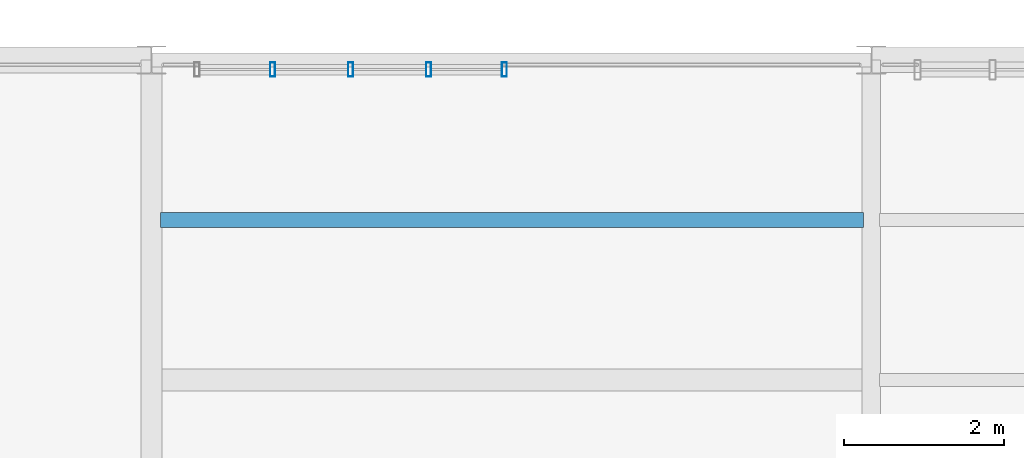
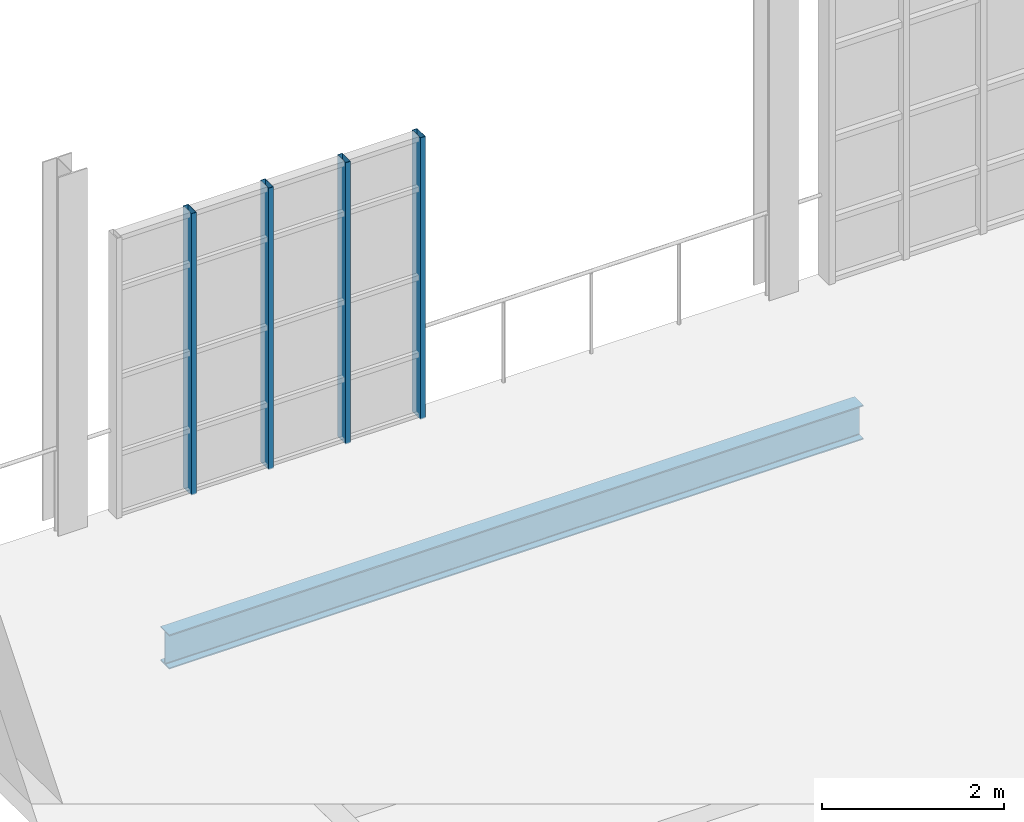
# One storey, part 65 of 118: 4 members, 1 beam, 1 element without a shape of its own.
"""IFC4 building model written with IfcOpenShell, lengths in metres."""

import ifcopenshell
import ifcopenshell.guid

model = None  # the IFC model being written
_history = None  # IfcOwnerHistory: only IFC2X3 demands one
_inside = {}  # id of a spatial element -> (the spatial element, [elements in it])
_under = {}  # id of a project, library or spatial element -> (it, [spatial elements below it])
_declared = {}  # id of a project -> (the project, [libraries it declares])
_typed = {}  # id of a type object -> (the type object, [elements of that type])
_made_of = {}  # id of a material, layer set ... -> (it, [elements and type objects made of it])


def new_model(schema):
    """Start an empty IFC model of exactly this schema.

    Asked for "IFC4X3", IfcOpenShell would pick the latest addendum, in which some entities
    have other attributes; the version numbers below select the first issue.
    IFC2X3 requires an IfcOwnerHistory on every rooted entity: one is made here for all.
    """
    global model, _history
    if schema == "IFC4X3":
        model = ifcopenshell.file(schema_version=(4, 3, 0, 0))
    else:
        model = ifcopenshell.file(schema=schema)
    _inside.clear()
    _under.clear()
    _declared.clear()
    _typed.clear()
    _made_of.clear()
    _history = None
    if model.schema == "IFC2X3":
        org = make("IfcOrganization", Name="unknown")
        user = make(
            "IfcPersonAndOrganization",
            ThePerson=make("IfcPerson", FamilyName="unknown"),
            TheOrganization=org,
        )
        app = make(
            "IfcApplication",
            ApplicationDeveloper=org,
            Version="unknown",
            ApplicationFullName="unknown",
            ApplicationIdentifier="unknown",
        )
        _history = make(
            "IfcOwnerHistory",
            OwningUser=user,
            OwningApplication=app,
            ChangeAction="ADDED",
            CreationDate=0,
        )
    return model


def make(cls, **values):
    """One entity of the class cls with the attributes given. An attribute that is None is left unset."""
    return model.create_entity(
        cls, **{name: value for name, value in values.items() if value is not None}
    )


def rooted(cls, **values):
    """An entity with a GlobalId (a new one), such as an element, a storey or a relation."""
    return make(cls, GlobalId=ifcopenshell.guid.new(), OwnerHistory=_history, **values)


def si_unit(unit_type, name, prefix=None):
    """IfcSIUnit, for example si_unit("LENGTHUNIT", "METRE", prefix="MILLI")."""
    return make("IfcSIUnit", UnitType=unit_type, Prefix=prefix, Name=name)


def assignment(units):
    """IfcUnitAssignment: the units of a project."""
    return None if units is None else make("IfcUnitAssignment", Units=units)


def point(xyz):
    """IfcCartesianPoint."""
    return None if xyz is None else make("IfcCartesianPoint", Coordinates=xyz)


def direction(xyz):
    """IfcDirection."""
    return None if xyz is None else make("IfcDirection", DirectionRatios=xyz)


def frame(location, z_axis=None, x_axis=None):
    """IfcAxis2Placement3D, a coordinate frame: its origin and axes. An axis left out is left unset."""
    return make(
        "IfcAxis2Placement3D",
        Location=point(location),
        Axis=direction(z_axis),
        RefDirection=direction(x_axis),
    )


def frame_2d(location, x_axis=None):
    """IfcAxis2Placement2D, a coordinate frame in the plane: its origin and x axis."""
    return make(
        "IfcAxis2Placement2D", Location=point(location), RefDirection=direction(x_axis)
    )


def origin():
    """The frame at (0, 0, 0) with its axes left unset."""
    return frame((0.0, 0.0, 0.0))


def origin_2d():
    """The frame at (0, 0) in the plane with its x axis left unset."""
    return frame_2d((0.0, 0.0))


def place(relative_to, where):
    """IfcLocalPlacement: puts the frame where relative to a parent placement (None: the world)."""
    return make(
        "IfcLocalPlacement", PlacementRelTo=relative_to, RelativePlacement=where
    )


def context(
    kind, dimensions, precision=None, world=None, true_north=None, identifier=None
):
    """IfcGeometricRepresentationContext, for example the 3D "Model" context."""
    return make(
        "IfcGeometricRepresentationContext",
        ContextIdentifier=identifier,
        ContextType=kind,
        CoordinateSpaceDimension=dimensions,
        Precision=precision,
        WorldCoordinateSystem=world,
        TrueNorth=true_north,
    )


def subcontext(parent, identifier, kind, view, scale=None):
    """IfcGeometricRepresentationSubContext, for example "Body" below "Model"."""
    return make(
        "IfcGeometricRepresentationSubContext",
        ContextIdentifier=identifier,
        ContextType=kind,
        ParentContext=parent,
        TargetScale=scale,
        TargetView=view,
    )


def project(units=None, contexts=None):
    """IfcProject with its units and contexts."""
    return rooted(
        "IfcProject",
        Name="project",
        RepresentationContexts=contexts,
        UnitsInContext=assignment(units),
    )


def spatial(cls, under=None, at=None, **own):
    """A site, building, storey or space (cls), placed at a placement, below another one or the project."""
    s = rooted(cls, ObjectPlacement=at, **own)
    if under is not None:
        _under.setdefault(under.id(), (under, []))[1].append(s)
    return s


def profile(cls, at=None, kind="AREA", **sizes):
    """A parametric profile (cls). Its sizes go by their IFC names, for example OverallWidth=200.0."""
    return make(cls, ProfileType=kind, Position=at, **sizes)


def hollow_rectangle(**sizes):
    """IfcRectangleHollowProfileDef."""
    return profile("IfcRectangleHollowProfileDef", **sizes)


def i_section(**sizes):
    """IfcIShapeProfileDef."""
    return profile("IfcIShapeProfileDef", **sizes)


def extrude(swept, where, along, depth):
    """IfcExtrudedAreaSolid: the profile swept, set in the frame where, extruded along a direction by depth."""
    return make(
        "IfcExtrudedAreaSolid",
        SweptArea=swept,
        Position=where,
        ExtrudedDirection=direction(along),
        Depth=depth,
    )


def shape(context_of_items, identifier, shape_type, items):
    """IfcShapeRepresentation: the items that make up one representation, for example the "Body"."""
    return make(
        "IfcShapeRepresentation",
        ContextOfItems=context_of_items,
        RepresentationIdentifier=identifier,
        RepresentationType=shape_type,
        Items=items,
    )


def material(Name=None, Category=None):
    """IfcMaterial."""
    return make("IfcMaterial", Name=Name, Category=Category)


def layer(
    of_material, thickness, ventilated=None, Name=None, Category=None, Priority=None
):
    """IfcMaterialLayer: one layer of a wall or slab, of a material (None: an air gap)."""
    return make(
        "IfcMaterialLayer",
        Material=of_material,
        LayerThickness=thickness,
        IsVentilated=ventilated,
        Name=Name,
        Category=Category,
        Priority=Priority,
    )


def layer_set(layers, Name=None):
    """IfcMaterialLayerSet."""
    return make("IfcMaterialLayerSet", MaterialLayers=layers, LayerSetName=Name)


def material_profile(
    of_material, cross_section, Name=None, Category=None, Priority=None
):
    """IfcMaterialProfile: a cross section and its material."""
    return make(
        "IfcMaterialProfile",
        Name=Name,
        Material=of_material,
        Profile=cross_section,
        Priority=Priority,
        Category=Category,
    )


def profile_set(profiles, Name=None, composite=None):
    """IfcMaterialProfileSet."""
    return make(
        "IfcMaterialProfileSet",
        Name=Name,
        MaterialProfiles=profiles,
        CompositeProfile=composite,
    )


def made_of(thing, what):
    """Note that an element or type object is made of a material, layer set ...; save() writes the relation."""
    if what is not None:
        _made_of.setdefault(what.id(), (what, []))[1].append(thing)
    return thing


def type_object(cls, material=None, **own):
    """A type object (cls), such as IfcWallType, which elements share."""
    return made_of(rooted(cls, **own), material)


def element(
    cls,
    number,
    at=None,
    inside=None,
    cuts=None,
    type_object=None,
    material=None,
    context=None,
    identifier="Body",
    shape_type=None,
    held_by="IfcProductDefinitionShape",
    body=None,
    shapes=None,
    **own,
):
    """One element of the class cls, such as IfcWall. Its Tag is "e" and its number.

    at: its placement. inside: the storey or other place that contains it. cuts: it is an
    opening in that element (IfcRelVoidsElement). A single representation is given by context,
    identifier, shape_type and body (its items); several are given by shapes. held_by: the class
    of the entity that holds the representations. save() writes the other relations.
    """
    e = rooted(cls, Tag="e%d" % number, ObjectPlacement=at, **own)
    if body is not None:
        shapes = [shape(context, identifier, shape_type, body)]
    if shapes is not None:
        e.Representation = make(held_by, Representations=shapes)
    if inside is not None:
        _inside.setdefault(inside.id(), (inside, []))[1].append(e)
    if cuts is not None:
        rooted(
            "IfcRelVoidsElement", RelatingBuildingElement=cuts, RelatedOpeningElement=e
        )
    if type_object is not None:
        _typed.setdefault(type_object.id(), (type_object, []))[1].append(e)
    return made_of(e, material)


def aggregate(whole, parts):
    """IfcRelAggregates: a whole, such as a stair, and the parts it consists of."""
    return rooted("IfcRelAggregates", RelatingObject=whole, RelatedObjects=parts)


def save(model, path):
    """Write the relations noted so far, then the file.

    IfcRelAggregates (storeys below a building ...), IfcRelContainedInSpatialStructure (elements
    in a storey), IfcRelDefinesByType, IfcRelAssociatesMaterial and IfcRelDeclares: one each for
    every whole, place, type object, material and project.
    """
    for whole, parts in _under.values():
        aggregate(whole, parts)
    for where, things in _inside.values():
        rooted(
            "IfcRelContainedInSpatialStructure",
            RelatedElements=things,
            RelatingStructure=where,
        )
    for kind, things in _typed.values():
        rooted("IfcRelDefinesByType", RelatedObjects=things, RelatingType=kind)
    for what, things in _made_of.values():
        rooted("IfcRelAssociatesMaterial", RelatedObjects=things, RelatingMaterial=what)
    for by, libraries in _declared.values():
        rooted("IfcRelDeclares", RelatingContext=by, RelatedDefinitions=libraries)
    model.write(path)


model = new_model("IFC4")

# Units and contexts
model_context = context("Model", 3, precision=1e-05, world=origin(), true_north=direction((0.0, 1.0)))
body_context = subcontext(model_context, "Body", "Model", "MODEL_VIEW")
ifc_project = project(units=[si_unit("LENGTHUNIT", "METRE"), si_unit("AREAUNIT", "SQUARE_METRE"), si_unit("VOLUMEUNIT", "CUBIC_METRE"), si_unit("PLANEANGLEUNIT", "RADIAN"), si_unit("MASSUNIT", "GRAM", prefix="KILO"), si_unit("THERMODYNAMICTEMPERATUREUNIT", "KELVIN"), si_unit("POWERUNIT", "WATT")], contexts=[model_context])

# Site, building, storey
site_placement = place(None, origin())
site = spatial("IfcSite", under=ifc_project, at=site_placement, CompositionType="ELEMENT")
building_placement = place(site_placement, origin())
building = spatial("IfcBuilding", under=site, at=building_placement, Name="Zelmaris Science Centre", CompositionType="ELEMENT")
storey_placement = place(building_placement, frame((0.0, 0.0, 15.60009765625)))
storey = spatial("IfcBuildingStorey", under=building, at=storey_placement, Name="L03", CompositionType="ELEMENT", Elevation=15.60009765625)

# Curtain wall, members
ifc_material_1 = material(Name="Anodised architectural aluminium 6063-T6", Category="aluminium")
ifc_layer = layer(ifc_material_1, 0.2099609375, Name="Anodised architectural aluminium 6063-T6")
ifc_layer_set = layer_set([ifc_layer], Name="Anodised architectural aluminium 6063-T6")
curtain_wall_type = type_object("IfcCurtainWallType", Name="Curtain Wall CW-03", PredefinedType="USERDEFINED", material=ifc_layer_set)
curtain_wall_placement = place(storey_placement, origin())
curtain_wall = element("IfcCurtainWall", 1, at=curtain_wall_placement, inside=storey, type_object=curtain_wall_type, Name="L03 Unitised curtain wall 283", ObjectType="GLAZED CURTAIN WALL", PredefinedType="USERDEFINED")
ifc_material_profile_1 = material_profile(ifc_material_1, hollow_rectangle(XDim=0.06494140625, YDim=0.179931640625, WallThickness=0.00390625, at=origin_2d()), Name="ALU-MUL-65X180")
ifc_profile_set_1 = profile_set([ifc_material_profile_1], Name="Anodised architectural aluminium 6063-T6")
member_type = type_object("IfcMemberType", Name="ALU-MUL-65X180", PredefinedType="MULLION", material=ifc_profile_set_1)
member_1_placement = place(storey_placement, frame((73.514892578125, 87.8798828125, -0.01513671875), z_axis=(0.0, 0.0, 1.0), x_axis=(1.0, 0.0, 0.0)))
member_1 = element("IfcMember", 2, at=member_1_placement, type_object=member_type, Name="CW-03 mullion 2", PredefinedType="MULLION", context=body_context, shape_type="SweptSolid", body=[
    extrude(hollow_rectangle(XDim=0.06494140625, YDim=0.179931640625, WallThickness=0.00390625, at=origin_2d()), origin(), (0.0, 0.0, 1.0), 3.76806640625),
])
member_2_placement = place(storey_placement, frame((74.489990234375, 87.8798828125, -0.01513671875), z_axis=(0.0, 0.0, 1.0), x_axis=(1.0, 0.0, 0.0)))
member_2 = element("IfcMember", 3, at=member_2_placement, type_object=member_type, Name="CW-03 mullion 3", PredefinedType="MULLION", context=body_context, shape_type="SweptSolid", body=[
    extrude(hollow_rectangle(XDim=0.06494140625, YDim=0.179931640625, WallThickness=0.00390625, at=origin_2d()), origin(), (0.0, 0.0, 1.0), 3.76806640625),
])
member_3_placement = place(storey_placement, frame((75.465087890625, 87.8798828125, -0.01513671875), z_axis=(0.0, 0.0, 1.0), x_axis=(1.0, 0.0, 0.0)))
member_3 = element("IfcMember", 4, at=member_3_placement, type_object=member_type, Name="CW-03 mullion 4", PredefinedType="MULLION", context=body_context, shape_type="SweptSolid", body=[
    extrude(hollow_rectangle(XDim=0.06494140625, YDim=0.179931640625, WallThickness=0.00390625, at=origin_2d()), origin(), (0.0, 0.0, 1.0), 3.76806640625),
])
member_4_placement = place(storey_placement, frame((76.41162109375, 87.8798828125, -0.01513671875), z_axis=(0.0, 0.0, 1.0), x_axis=(1.0, 0.0, 0.0)))
member_4 = element("IfcMember", 5, at=member_4_placement, type_object=member_type, Name="CW-03 mullion 5", PredefinedType="MULLION", context=body_context, shape_type="SweptSolid", body=[
    extrude(hollow_rectangle(XDim=0.06494140625, YDim=0.179931640625, WallThickness=0.00390625, at=origin_2d()), origin(), (0.0, 0.0, 1.0), 3.76806640625),
])
aggregate(curtain_wall, [member_1, member_2, member_3, member_4])

# Beam
ifc_material_2 = material(Name="Steel ASTM A992 Grade 50", Category="steel")
ifc_material_profile_2 = material_profile(ifc_material_2, i_section(OverallWidth=0.19091796875, OverallDepth=0.4599609375, WebThickness=0.010009765625, FlangeThickness=0.01611328125, FilletRadius=0.012939453125, at=origin_2d()), Name="W18X55")
ifc_profile_set_2 = profile_set([ifc_material_profile_2], Name="Steel ASTM A992 Grade 50")
beam_type = type_object("IfcBeamType", Name="Beam J-04 W18X55", PredefinedType="JOIST", material=ifc_profile_set_2)
beam_placement = place(storey_placement, frame((72.113525390625, 86.0, -0.489990234375), z_axis=(1.0, 0.0, 0.0), x_axis=(0.0, 1.0, 0.0)))
element("IfcBeam", 6, at=beam_placement, inside=storey, type_object=beam_type, Name="L03 Composite floor joist 327", PredefinedType="JOIST", context=body_context, shape_type="SweptSolid", body=[
    extrude(i_section(OverallWidth=0.19091796875, OverallDepth=0.4599609375, WebThickness=0.010009765625, FlangeThickness=0.01611328125, FilletRadius=0.012939453125, at=origin_2d()), origin(), (0.0, 0.0, 1.0), 8.786865234375),
])

save(model, "model.ifc")
